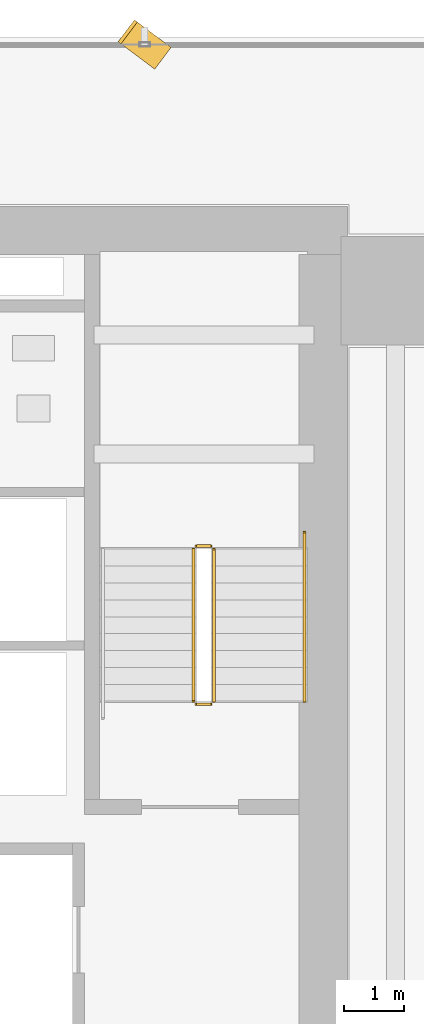
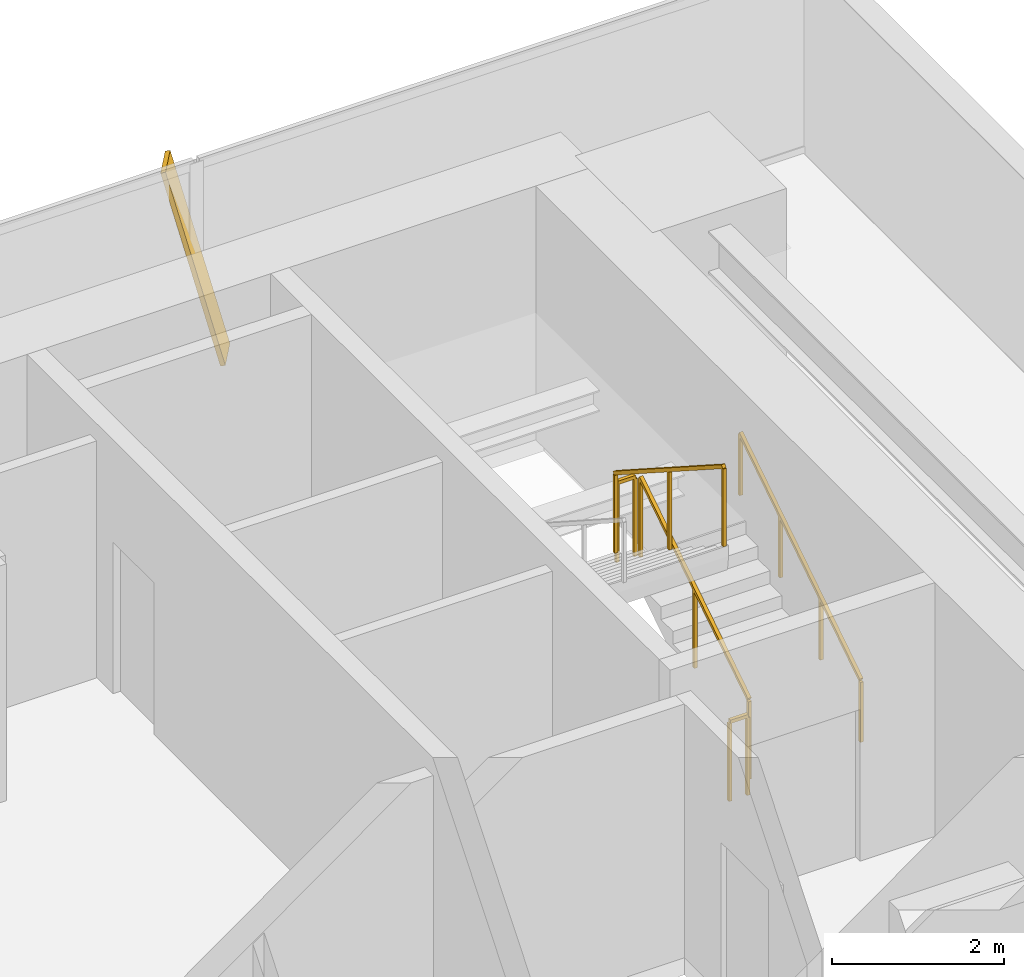
# One storey, part 31 of 32: 5 railings, 1 shading device.
"""IFC4 building model written with IfcOpenShell, lengths in metres."""

from ifc_helpers import new_model, si_unit, direction, frame, origin, origin_2d, place, context, subcontext, project, spatial, rectangle, extrude, source, transform, mapped, material, material_profile, profile_set, type_object, element, save


model = new_model("IFC4")

# Units and contexts
model_context = context("Model", 3, precision=1e-05, world=origin(), true_north=direction((0.0, 1.0)))
body_context = subcontext(model_context, "Body", "Model", "MODEL_VIEW")
ifc_project = project(units=[si_unit("LENGTHUNIT", "METRE"), si_unit("AREAUNIT", "SQUARE_METRE"), si_unit("VOLUMEUNIT", "CUBIC_METRE"), si_unit("PLANEANGLEUNIT", "RADIAN"), si_unit("MASSUNIT", "GRAM", prefix="KILO")], contexts=[model_context])

# Site, building, storey
site_placement = place(None, origin())
site = spatial("IfcSite", under=ifc_project, at=site_placement, CompositionType="ELEMENT")
building_placement = place(site_placement, origin())
building = spatial("IfcBuilding", under=site, at=building_placement, Name="Sumidabori Civic Tower", CompositionType="ELEMENT")
storey_placement = place(building_placement, frame((0.0, 0.0, 52.39990234375)))
storey = spatial("IfcBuildingStorey", under=building, at=storey_placement, Name="L13", CompositionType="ELEMENT", Elevation=52.39990234375)

# Railings
ifc_material_1 = material(Name="Stainless Steel Hairline Finish", Category="steel")
railing_type_1 = type_object("IfcRailingType", Name="RL-HANDRAIL", PredefinedType="HANDRAIL", material=ifc_material_1)
railing_1_placement = place(storey_placement, frame((15.2900390625, 16.0, 0.18017578125)))
element("IfcRailing", 1, at=railing_1_placement, inside=storey, type_object=railing_type_1, Name="L13 ST-2 stair handrail 1", PredefinedType="HANDRAIL", context=body_context, shape_type="SweptSolid", body=[
    extrude(rectangle(XDim=0.048095703125, YDim=0.048095703125, at=origin_2d()), frame((0.0, 0.0, 0.8759765625), z_axis=(0.0, 0.840675598268, 0.541539046124), x_axis=(-1.0, 0.0, 0.0)), (0.0, 0.0, 1.0), 3.330810546875),
    extrude(rectangle(XDim=0.0419921875, YDim=0.0419921875, at=origin_2d()), origin(), (0.0, 0.0, 1.0), 0.851806640625),
    extrude(rectangle(XDim=0.0419921875, YDim=0.0419921875, at=origin_2d()), frame((0.0, 0.933349609375, 0.601318359375)), (0.0, 0.0, 1.0), 0.851806640625),
    extrude(rectangle(XDim=0.0419921875, YDim=0.0419921875, at=origin_2d()), frame((0.0, 1.86669921875, 1.202392578125)), (0.0, 0.0, 1.0), 0.851806640625),
    extrude(rectangle(XDim=0.0419921875, YDim=0.0419921875, at=origin_2d()), frame((0.0, 2.800048828125, 1.8037109375)), (0.0, 0.0, 1.0), 0.851806640625),
])
ifc_material_2 = material(Name="Steel SN490", Category="steel")
railing_type_2 = type_object("IfcRailingType", Name="RL-STAIR-GUARD", PredefinedType="GUARDRAIL", material=ifc_material_2)
railing_2_placement = place(storey_placement, frame((13.7900390625, 16.0, 0.18017578125)))
element("IfcRailing", 2, at=railing_2_placement, inside=storey, type_object=railing_type_2, Name="L13 ST-2 stair guard 1", PredefinedType="GUARDRAIL", context=body_context, shape_type="SweptSolid", body=[
    extrude(rectangle(XDim=0.048095703125, YDim=0.048095703125, at=origin_2d()), frame((0.0, 0.0, 1.1259765625), z_axis=(0.0, 0.841199657755, 0.540724639528), x_axis=(-1.0, 0.0, 0.0)), (0.0, 0.0, 1.0), 2.995849609375),
    extrude(rectangle(XDim=0.0419921875, YDim=0.0419921875, at=origin_2d()), origin(), (0.0, 0.0, 1.0), 1.101806640625),
    extrude(rectangle(XDim=0.0419921875, YDim=0.0419921875, at=origin_2d()), frame((0.0, 1.260009765625, 0.81005859375)), (0.0, 0.0, 1.0), 1.101806640625),
    extrude(rectangle(XDim=0.0419921875, YDim=0.0419921875, at=origin_2d()), frame((0.0, 2.52001953125, 1.619873046875)), (0.0, 0.0, 1.0), 1.101806640625),
])
railing_3_placement = place(storey_placement, frame((13.739990234375, 18.570068359375, 1.800048828125)))
element("IfcRailing", 3, at=railing_3_placement, inside=storey, type_object=railing_type_2, Name="L13 ST-2 stair guard 2", PredefinedType="GUARDRAIL", context=body_context, shape_type="SweptSolid", body=[
    extrude(rectangle(XDim=0.048095703125, YDim=0.048095703125, at=origin_2d()), frame((0.0, 0.0, 1.1259765625), z_axis=(-1.0, 0.0, 0.0), x_axis=(0.0, -1.0, 0.0)), (0.0, 0.0, 1.0), 0.239990234375),
    extrude(rectangle(XDim=0.0419921875, YDim=0.0419921875, at=origin_2d()), origin(), (0.0, 0.0, 1.0), 1.101806640625),
    extrude(rectangle(XDim=0.0419921875, YDim=0.0419921875, at=origin_2d()), frame((-0.239990234375, 0.0, 0.0)), (0.0, 0.0, 1.0), 1.101806640625),
])
railing_4_placement = place(storey_placement, frame((13.449951171875, 18.52001953125, 1.97998046875)))
element("IfcRailing", 4, at=railing_4_placement, inside=storey, type_object=railing_type_2, Name="L13 ST-2 stair guard 3", PredefinedType="GUARDRAIL", context=body_context, shape_type="SweptSolid", body=[
    extrude(rectangle(XDim=0.048095703125, YDim=0.048095703125, at=origin_2d()), frame((0.0, 0.0, 1.1259765625), z_axis=(0.0, -0.841162588446, 0.540782303519), x_axis=(1.0, 0.0, 0.0)), (0.0, 0.0, 1.0), 2.995849609375),
    extrude(rectangle(XDim=0.0419921875, YDim=0.0419921875, at=origin_2d()), origin(), (0.0, 0.0, 1.0), 1.101806640625),
    extrude(rectangle(XDim=0.0419921875, YDim=0.0419921875, at=origin_2d()), frame((0.0, -1.260009765625, 0.81005859375)), (0.0, 0.0, 1.0), 1.101806640625),
    extrude(rectangle(XDim=0.0419921875, YDim=0.0419921875, at=origin_2d()), frame((0.0, -2.52001953125, 1.6201171875)), (0.0, 0.0, 1.0), 1.101806640625),
])
railing_5_placement = place(storey_placement, frame((13.739990234375, 15.949951171875, 0.0)))
element("IfcRailing", 5, at=railing_5_placement, inside=storey, type_object=railing_type_2, Name="L13 ST-2 stair guard 4", PredefinedType="GUARDRAIL", context=body_context, shape_type="SweptSolid", body=[
    extrude(rectangle(XDim=0.048095703125, YDim=0.048095703125, at=origin_2d()), frame((0.0, 0.0, 1.1259765625), z_axis=(-1.0, 0.0, 0.0), x_axis=(0.0, -1.0, 0.0)), (0.0, 0.0, 1.0), 0.239990234375),
    extrude(rectangle(XDim=0.0419921875, YDim=0.0419921875, at=origin_2d()), origin(), (0.0, 0.0, 1.0), 1.101806640625),
    extrude(rectangle(XDim=0.0419921875, YDim=0.0419921875, at=origin_2d()), frame((-0.239990234375, 0.0, 0.0)), (0.0, 0.0, 1.0), 1.101806640625),
])

# Shading device
ifc_material_3 = material(Name="Anodised Bronze Aluminium AW-6063-T6", Category="aluminium")
ifc_material_profile = material_profile(ifc_material_3, rectangle(XDim=0.06005859375, YDim=0.449951171875, at=origin_2d()), Name="BRONZE FIN 450x60")
ifc_profile_set = profile_set([ifc_material_profile], Name="Anodised Bronze Aluminium AW-6063-T6")
shading_device_type = type_object("IfcShadingDeviceType", Name="SH-FIN-450", PredefinedType="USERDEFINED", material=ifc_profile_set)
shared_shape = source(origin(), body_context, "Body", "SweptSolid", [
    extrude(rectangle(XDim=0.06005859375, YDim=0.449951171875, at=origin_2d()), origin(), (0.0, 0.0, 1.0), 2.77001953125),
])
shading_device_placement = place(storey_placement, frame((12.922119140625, 26.669921875, 0.02001953125), z_axis=(-0.202178689694, 0.151678084117, 0.967531671953), x_axis=(0.773944359394, -0.580626958377, 0.252749804684)))
element("IfcShadingDevice", 6, at=shading_device_placement, inside=storey, type_object=shading_device_type, Name="Bronze Anodised Diagonal Fin L13-01", ObjectType="FIN", PredefinedType="USERDEFINED", context=body_context, shape_type="MappedRepresentation", body=[
    mapped(shared_shape, transform((0.0, 0.0, 0.0), x_axis=(1.0, 0.0, 0.0), y_axis=(0.0, 1.0, 0.0), z_axis=(0.0, 0.0, 1.0), scale=1.0)),
])

save(model, "model.ifc")
